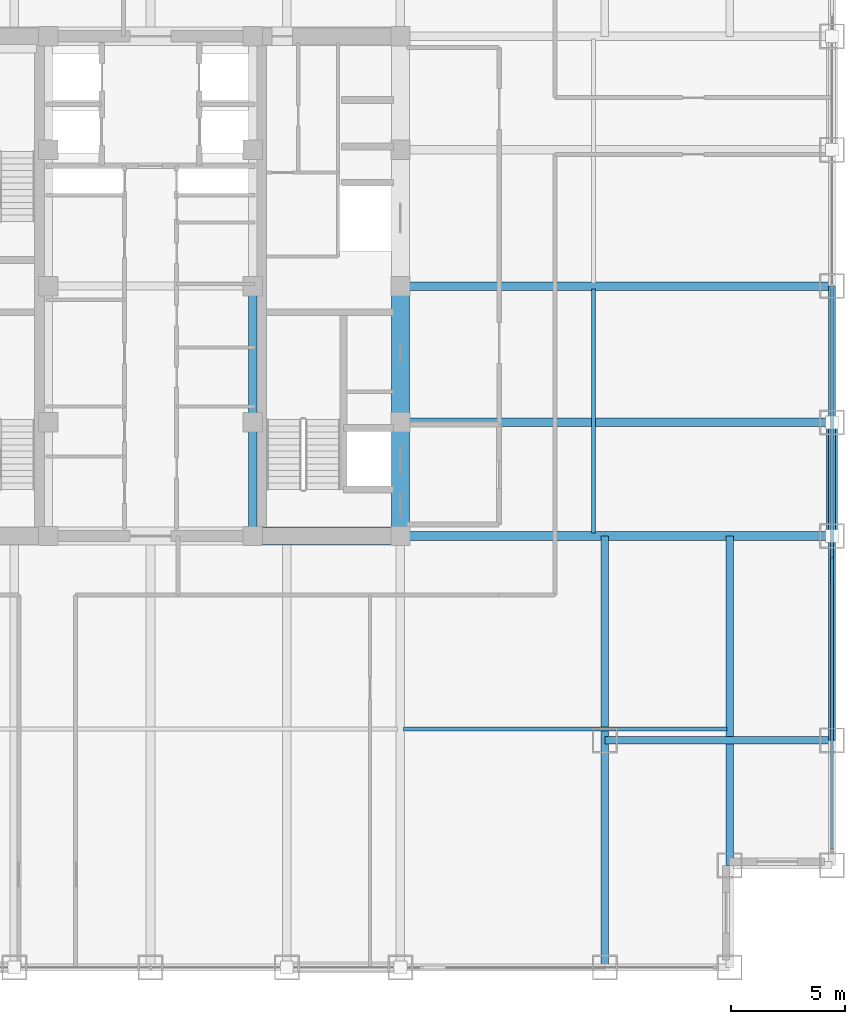
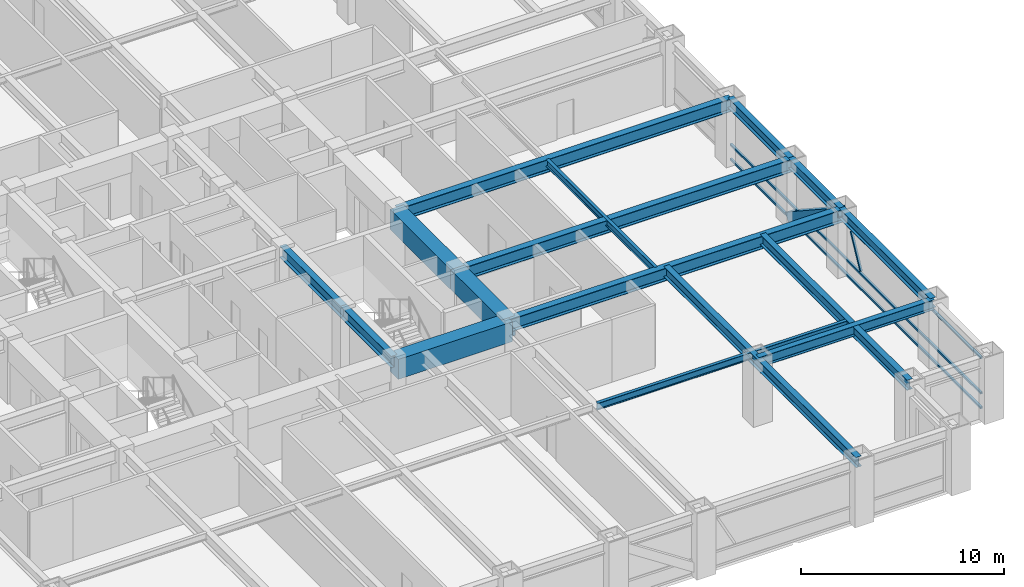
# One storey, part 9 of 24: 16 beams, 5 members, 1 element without a shape of its own.
"""IFC4 building model written with IfcOpenShell, lengths in metres."""

from ifc_helpers import new_model, si_unit, direction, frame, origin, origin_2d, place, context, subcontext, project, spatial, rectangle, hollow_rectangle, i_section, extrude, source, transform, mapped, material, material_profile, profile_set, type_object, element, aggregate, save


model = new_model("IFC4")

# Units and contexts
model_context = context("Model", 3, precision=1e-05, world=origin(), true_north=direction((0.0, 1.0)))
body_context = subcontext(model_context, "Body", "Model", "MODEL_VIEW")
ifc_project = project(units=[si_unit("LENGTHUNIT", "METRE"), si_unit("AREAUNIT", "SQUARE_METRE"), si_unit("VOLUMEUNIT", "CUBIC_METRE"), si_unit("PLANEANGLEUNIT", "RADIAN"), si_unit("MASSUNIT", "GRAM", prefix="KILO")], contexts=[model_context])

# Site, building, storey
site_placement = place(None, origin())
site = spatial("IfcSite", under=ifc_project, at=site_placement, CompositionType="ELEMENT")
building_placement = place(site_placement, origin())
building = spatial("IfcBuilding", under=site, at=building_placement, Name="Khorayat Bourse Tower", CompositionType="ELEMENT")
storey_placement = place(building_placement, frame((0.0, 0.0, 163.10009765625)))
storey = spatial("IfcBuildingStorey", under=building, at=storey_placement, Name="L37", CompositionType="ELEMENT", Elevation=163.10009765625)

# Beams
ifc_material_1 = material(Name="Concrete C72/90", Category="concrete")
ifc_material_profile_1 = material_profile(ifc_material_1, rectangle(XDim=0.800048828125, YDim=1.199951171875, at=origin_2d()), Name="RC 800x1200")
ifc_profile_set_1 = profile_set([ifc_material_profile_1], Name="Concrete C72/90")
beam_type_1 = type_object("IfcBeamType", Name="BM-COUP-1200", PredefinedType="BEAM", material=ifc_profile_set_1)
shared_shape_1 = source(origin(), body_context, "Body", "SweptSolid", [
    extrude(rectangle(XDim=0.800048828125, YDim=1.199951171875, at=origin_2d()), origin(), (0.0, 0.0, 1.0), 5.0),
])
beam_1_placement = place(storey_placement, frame((11.0, -11.0, 3.179931640625), z_axis=(0.0, 1.0, 0.0), x_axis=(-1.0, 0.0, 0.0)))
element("IfcBeam", 1, at=beam_1_placement, inside=storey, type_object=beam_type_1, Name="L37 BM-COUP-1200 BM-L37-CRX-13", PredefinedType="BEAM", context=body_context, shape_type="MappedRepresentation", body=[
    mapped(shared_shape_1, transform((0.0, 0.0, 0.0), scale=1.0)),
])
shared_shape_2 = source(origin(), body_context, "Body", "SweptSolid", [
    extrude(rectangle(XDim=0.800048828125, YDim=1.199951171875, at=origin_2d()), origin(), (0.0, 0.0, 1.0), 6.0),
])
beam_2_placement = place(storey_placement, frame((11.0, -6.0, 3.179931640625), z_axis=(0.0, 1.0, 0.0), x_axis=(-1.0, 0.0, 0.0)))
element("IfcBeam", 2, at=beam_2_placement, inside=storey, type_object=beam_type_1, Name="L37 BM-COUP-1200 BM-L37-CRX-14", PredefinedType="BEAM", context=body_context, shape_type="MappedRepresentation", body=[
    mapped(shared_shape_2, transform((0.0, 0.0, 0.0), scale=1.0)),
])
ifc_material_2 = material(Name="Steel ASTM A992 Grade 50", Category="steel")
ifc_material_profile_2 = material_profile(ifc_material_2, i_section(OverallWidth=0.35498046875, OverallDepth=0.695068359375, WebThickness=0.015380859375, FlangeThickness=0.02490234375, FilletRadius=0.01806640625, at=origin_2d()), Name="W690X217")
ifc_profile_set_2 = profile_set([ifc_material_profile_2], Name="Steel ASTM A992 Grade 50")
beam_type_2 = type_object("IfcBeamType", Name="BM-GIRD-690", PredefinedType="BEAM", material=ifc_profile_set_2)
shared_shape_3 = source(origin(), body_context, "Body", "SweptSolid", [
    extrude(i_section(OverallWidth=0.35498046875, OverallDepth=0.695068359375, WebThickness=0.015380859375, FlangeThickness=0.02490234375, FilletRadius=0.01806640625, at=origin_2d()), origin(), (0.0, 0.0, 1.0), 5.0),
])
beam_3_placement = place(storey_placement, frame((4.5, -11.0, 3.432373046875), z_axis=(0.0, 1.0, 0.0), x_axis=(-1.0, 0.0, 0.0)))
element("IfcBeam", 3, at=beam_3_placement, inside=storey, type_object=beam_type_2, Name="L37 BM-GIRD-690 BM-L37-CRX-09", PredefinedType="BEAM", context=body_context, shape_type="MappedRepresentation", body=[
    mapped(shared_shape_3, transform((0.0, 0.0, 0.0), scale=1.0)),
])
shared_shape_4 = source(origin(), body_context, "Body", "SweptSolid", [
    extrude(i_section(OverallWidth=0.35498046875, OverallDepth=0.695068359375, WebThickness=0.015380859375, FlangeThickness=0.02490234375, FilletRadius=0.01806640625, at=origin_2d()), origin(), (0.0, 0.0, 1.0), 6.0),
])
beam_4_placement = place(storey_placement, frame((4.5, -6.0, 3.432373046875), z_axis=(0.0, 1.0, 0.0), x_axis=(-1.0, 0.0, 0.0)))
element("IfcBeam", 4, at=beam_4_placement, inside=storey, type_object=beam_type_2, Name="L37 BM-GIRD-690 BM-L37-CRX-10", PredefinedType="BEAM", context=body_context, shape_type="MappedRepresentation", body=[
    mapped(shared_shape_4, transform((0.0, 0.0, 0.0), scale=1.0)),
])
shared_shape_5 = source(origin(), body_context, "Body", "SweptSolid", [
    extrude(rectangle(XDim=0.800048828125, YDim=1.199951171875, at=origin_2d()), origin(), (0.0, 0.0, 1.0), 6.5),
])
beam_5_placement = place(storey_placement, frame((4.5, -11.0, 3.179931640625), z_axis=(1.0, 0.0, 0.0), x_axis=(0.0, 1.0, 0.0)))
element("IfcBeam", 5, at=beam_5_placement, inside=storey, type_object=beam_type_1, Name="L37 BM-COUP-1200 BM-L37-CRY-19", PredefinedType="BEAM", context=body_context, shape_type="MappedRepresentation", body=[
    mapped(shared_shape_5, transform((0.0, 0.0, 0.0), scale=1.0)),
])
ifc_material_profile_3 = material_profile(ifc_material_2, i_section(OverallWidth=0.381103515625, OverallDepth=0.77294921875, WebThickness=0.0166015625, FlangeThickness=0.027587890625, FilletRadius=0.01806640625, at=origin_2d()), Name="W760X257")
ifc_profile_set_3 = profile_set([ifc_material_profile_3], Name="Steel ASTM A992 Grade 50")
beam_type_3 = type_object("IfcBeamType", Name="BM-GIRD-760", PredefinedType="BEAM", material=ifc_profile_set_3)
shared_shape_6 = source(origin(), body_context, "Body", "SweptSolid", [
    extrude(i_section(OverallWidth=0.381103515625, OverallDepth=0.77294921875, WebThickness=0.0166015625, FlangeThickness=0.027587890625, FilletRadius=0.01806640625, at=origin_2d()), origin(), (0.0, 0.0, 1.0), 19.0),
])
for number, where, z_axis, x_axis, name in (
    (6, (11.0, -11.0, 3.393310546875), (1.0, 0.0, 0.0), (0.0, 1.0, 0.0), "L37 BM-GIRD-760 BM-L37-RADX-074"),
    (7, (11.0, -6.0, 3.393310546875), (1.0, 0.0, 0.0), (0.0, 1.0, 0.0), "L37 BM-GIRD-760 BM-L37-RADX-076"),
    (8, (11.0, 0.0, 3.393310546875), (1.0, 0.0, 0.0), (0.0, 1.0, 0.0), "L37 BM-GIRD-760 BM-L37-RADX-078"),
):
    element("IfcBeam", number, at=place(storey_placement, frame(where, z_axis=z_axis, x_axis=x_axis)), inside=storey, type_object=beam_type_3, Name=name, PredefinedType="BEAM", context=body_context, shape_type="MappedRepresentation", body=[
        mapped(shared_shape_6, transform((0.0, 0.0, 0.0), scale=1.0)),
    ])
ifc_material_profile_4 = material_profile(ifc_material_2, i_section(OverallWidth=0.324951171875, OverallDepth=0.615966796875, WebThickness=0.013916015625, FlangeThickness=0.021484375, FilletRadius=0.01611328125, at=origin_2d()), Name="W610X174")
ifc_profile_set_4 = profile_set([ifc_material_profile_4], Name="Steel ASTM A992 Grade 50")
beam_type_4 = type_object("IfcBeamType", Name="BM-GIRD-610", PredefinedType="BEAM", material=ifc_profile_set_4)
shared_shape_7 = source(origin(), body_context, "Body", "SweptSolid", [
    extrude(i_section(OverallWidth=0.324951171875, OverallDepth=0.615966796875, WebThickness=0.013916015625, FlangeThickness=0.021484375, FilletRadius=0.01611328125, at=origin_2d()), origin(), (0.0, 0.0, 1.0), 19.0),
])
beam_6_placement = place(storey_placement, frame((20.0, -30.0, 3.471923828125), z_axis=(0.0, 1.0, 0.0), x_axis=(-1.0, 0.0, 0.0)))
element("IfcBeam", 9, at=beam_6_placement, inside=storey, type_object=beam_type_4, Name="L37 BM-GIRD-610 BM-L37-CNRY-086", PredefinedType="BEAM", context=body_context, shape_type="MappedRepresentation", body=[
    mapped(shared_shape_7, transform((0.0, 0.0, 0.0), scale=1.0)),
])
shared_shape_8 = source(origin(), body_context, "Body", "SweptSolid", [
    extrude(i_section(OverallWidth=0.324951171875, OverallDepth=0.615966796875, WebThickness=0.013916015625, FlangeThickness=0.021484375, FilletRadius=0.01611328125, at=origin_2d()), origin(), (0.0, 0.0, 1.0), 14.5),
])
beam_7_placement = place(storey_placement, frame((25.5, -25.5, 3.471923828125), z_axis=(0.0, 1.0, 0.0), x_axis=(-1.0, 0.0, 0.0)))
element("IfcBeam", 10, at=beam_7_placement, inside=storey, type_object=beam_type_4, Name="L37 BM-GIRD-610 BM-L37-CNRY-090", PredefinedType="BEAM", context=body_context, shape_type="MappedRepresentation", body=[
    mapped(shared_shape_8, transform((0.0, 0.0, 0.0), scale=1.0)),
])
shared_shape_9 = source(origin(), body_context, "Body", "SweptSolid", [
    extrude(i_section(OverallWidth=0.324951171875, OverallDepth=0.615966796875, WebThickness=0.013916015625, FlangeThickness=0.021484375, FilletRadius=0.01611328125, at=origin_2d()), origin(), (0.0, 0.0, 1.0), 10.0),
])
beam_8_placement = place(storey_placement, frame((20.0, -20.0, 3.471923828125), z_axis=(1.0, 0.0, 0.0), x_axis=(0.0, 1.0, 0.0)))
element("IfcBeam", 11, at=beam_8_placement, inside=storey, type_object=beam_type_4, Name="L37 BM-GIRD-610 BM-L37-CNRX-092", PredefinedType="BEAM", context=body_context, shape_type="MappedRepresentation", body=[
    mapped(shared_shape_9, transform((0.0, 0.0, 0.0), scale=1.0)),
])
ifc_material_profile_5 = material_profile(ifc_material_2, i_section(OverallWidth=0.180908203125, OverallDepth=0.4169921875, WebThickness=0.010986328125, FlangeThickness=0.018310546875, FilletRadius=0.011962890625, at=origin_2d()), Name="W410X85")
ifc_profile_set_5 = profile_set([ifc_material_profile_5], Name="Steel ASTM A992 Grade 50")
beam_type_5 = type_object("IfcBeamType", Name="BM-JOIST-410", PredefinedType="JOIST", material=ifc_profile_set_5)
shared_shape_10 = source(origin(), body_context, "Body", "SweptSolid", [
    extrude(i_section(OverallWidth=0.180908203125, OverallDepth=0.4169921875, WebThickness=0.010986328125, FlangeThickness=0.018310546875, FilletRadius=0.011962890625, at=origin_2d()), origin(), (0.0, 0.0, 1.0), 14.240234375),
])
beam_9_placement = place(storey_placement, frame((11.1298828125, -19.5, 3.5712890625), z_axis=(1.0, 0.0, 0.0), x_axis=(0.0, 1.0, 0.0)))
element("IfcBeam", 12, at=beam_9_placement, inside=storey, type_object=beam_type_5, Name="L37 BM-JOIST-410 BM-L37-JSTX-098", PredefinedType="JOIST", context=body_context, shape_type="MappedRepresentation", body=[
    mapped(shared_shape_10, transform((0.0, 0.0, 0.0), scale=1.0)),
])
shared_shape_11 = source(origin(), body_context, "Body", "SweptSolid", [
    extrude(i_section(OverallWidth=0.180908203125, OverallDepth=0.4169921875, WebThickness=0.010986328125, FlangeThickness=0.018310546875, FilletRadius=0.011962890625, at=origin_2d()), origin(), (0.0, 0.0, 1.0), 10.740234375),
])
beam_10_placement = place(storey_placement, frame((19.5, -10.8701171875, 3.5712890625), z_axis=(0.0, 1.0, 0.0), x_axis=(-1.0, 0.0, 0.0)))
element("IfcBeam", 13, at=beam_10_placement, inside=storey, type_object=beam_type_5, Name="L37 BM-JOIST-410 BM-L37-JSTY-104", PredefinedType="JOIST", context=body_context, shape_type="MappedRepresentation", body=[
    mapped(shared_shape_11, transform((0.0, 0.0, 0.0), scale=1.0)),
])
ifc_material_profile_6 = material_profile(ifc_material_2, i_section(OverallWidth=0.324951171875, OverallDepth=0.615966796875, WebThickness=0.013916015625, FlangeThickness=0.021484375, FilletRadius=0.01611328125, at=origin_2d()), Name="W610X174")
ifc_profile_set_6 = profile_set([ifc_material_profile_6], Name="Steel ASTM A992 Grade 50")
beam_type_6 = type_object("IfcBeamType", Name="BM-SPAN-610", PredefinedType="SPANDREL", material=ifc_profile_set_6)
shared_shape_12 = source(origin(), body_context, "Body", "SweptSolid", [
    extrude(i_section(OverallWidth=0.324951171875, OverallDepth=0.615966796875, WebThickness=0.013916015625, FlangeThickness=0.021484375, FilletRadius=0.01611328125, at=origin_2d()), origin(), (0.0, 0.0, 1.0), 9.0),
])
beam_11_placement = place(storey_placement, frame((30.0, -20.0, 3.471923828125), z_axis=(0.0, 1.0, 0.0), x_axis=(-1.0, 0.0, 0.0)))
element("IfcBeam", 14, at=beam_11_placement, inside=storey, type_object=beam_type_6, Name="L37 BM-SPAN-610 BM-L37-SPN-035", PredefinedType="SPANDREL", context=body_context, shape_type="MappedRepresentation", body=[
    mapped(shared_shape_12, transform((0.0, 0.0, 0.0), scale=1.0)),
])
shared_shape_13 = source(origin(), body_context, "Body", "SweptSolid", [
    extrude(i_section(OverallWidth=0.324951171875, OverallDepth=0.615966796875, WebThickness=0.013916015625, FlangeThickness=0.021484375, FilletRadius=0.01611328125, at=origin_2d()), origin(), (0.0, 0.0, 1.0), 5.0),
])
beam_12_placement = place(storey_placement, frame((30.0, -11.0, 3.471923828125), z_axis=(0.0, 1.0, 0.0), x_axis=(-1.0, 0.0, 0.0)))
element("IfcBeam", 15, at=beam_12_placement, inside=storey, type_object=beam_type_6, Name="L37 BM-SPAN-610 BM-L37-SPN-036", PredefinedType="SPANDREL", context=body_context, shape_type="MappedRepresentation", body=[
    mapped(shared_shape_13, transform((0.0, 0.0, 0.0), scale=1.0)),
])
shared_shape_14 = source(origin(), body_context, "Body", "SweptSolid", [
    extrude(i_section(OverallWidth=0.324951171875, OverallDepth=0.615966796875, WebThickness=0.013916015625, FlangeThickness=0.021484375, FilletRadius=0.01611328125, at=origin_2d()), origin(), (0.0, 0.0, 1.0), 6.0),
])
beam_13_placement = place(storey_placement, frame((30.0, -6.0, 3.471923828125), z_axis=(0.0, 1.0, 0.0), x_axis=(-1.0, 0.0, 0.0)))
element("IfcBeam", 16, at=beam_13_placement, inside=storey, type_object=beam_type_6, Name="L37 BM-SPAN-610 BM-L37-SPN-037", PredefinedType="SPANDREL", context=body_context, shape_type="MappedRepresentation", body=[
    mapped(shared_shape_14, transform((0.0, 0.0, 0.0), scale=1.0)),
])

# Member
ifc_material_3 = material(Name="Steel EN 10025-4 S460M", Category="steel")
ifc_material_profile_7 = material_profile(ifc_material_3, hollow_rectangle(XDim=0.5, YDim=0.5, WallThickness=0.028076171875, at=origin_2d()), Name="HSS 500x500x28")
ifc_profile_set_7 = profile_set([ifc_material_profile_7], Name="Steel EN 10025-4 S460M")
member_type_1 = type_object("IfcMemberType", Name="MBR-TUBE-500", PredefinedType="BRACE", material=ifc_profile_set_7)
shared_shape_15 = source(origin(), body_context, "Body", "SweptSolid", [
    extrude(hollow_rectangle(XDim=0.5, YDim=0.5, WallThickness=0.028076171875, at=origin_2d()), origin(), (0.0, 0.0, 1.0), 5.979736328125),
])
member_1_placement = place(storey_placement, frame((30.0, -11.0, 3.52978515625), z_axis=(0.0, 0.836160261256, -0.548485202623), x_axis=(-1.0, 0.0, 0.0)))
element("IfcMember", 17, at=member_1_placement, inside=storey, type_object=member_type_1, Name="L37 Perimeter Tube Brace 07", PredefinedType="BRACE", context=body_context, shape_type="MappedRepresentation", body=[
    mapped(shared_shape_15, transform((0.0, 0.0, 0.0), scale=1.0)),
])

# Curtain wall, members
ifc_material_4 = material(Name="Aluminium EN AW-6063 T6", Category="aluminium")
curtain_wall_type = type_object("IfcCurtainWallType", Name="CW-SYS-03", PredefinedType="NOTDEFINED", material=ifc_material_4)
curtain_wall_placement = place(storey_placement, origin())
curtain_wall = element("IfcCurtainWall", 18, at=curtain_wall_placement, inside=storey, type_object=curtain_wall_type, Name="L37 Curtain Wall CW-L37-E1", PredefinedType="NOTDEFINED")
ifc_material_profile_8 = material_profile(ifc_material_4, hollow_rectangle(XDim=0.1201171875, YDim=0.1201171875, WallThickness=0.0048828125, at=origin_2d()), Name="ALU 120x120x5")
ifc_profile_set_8 = profile_set([ifc_material_profile_8], Name="Aluminium EN AW-6063 T6")
member_type_2 = type_object("IfcMemberType", Name="CWM-DIAG-120", PredefinedType="MULLION", material=ifc_profile_set_8)
shared_shape_16 = source(origin(), body_context, "Body", "SweptSolid", [
    extrude(hollow_rectangle(XDim=0.1201171875, YDim=0.1201171875, WallThickness=0.0048828125, at=origin_2d()), origin(), (0.0, 0.0, 1.0), 2.079345703125),
])
member_2_placement = place(storey_placement, frame((30.0, -12.904296875, 1.08984375), z_axis=(0.0, 0.465760949701, 0.884910581773), x_axis=(-1.0, 0.0, 0.0)))
member_2 = element("IfcMember", 19, at=member_2_placement, type_object=member_type_2, Name="CW-L37-E1 Faceted Diagonal Mullion 1", PredefinedType="MULLION", context=body_context, shape_type="MappedRepresentation", body=[
    mapped(shared_shape_16, transform((0.0, 0.0, 0.0), scale=1.0)),
])
ifc_material_profile_9 = material_profile(ifc_material_4, hollow_rectangle(XDim=0.1201171875, YDim=0.1201171875, WallThickness=0.0048828125, at=origin_2d()), Name="ALU 120x120x5")
ifc_profile_set_9 = profile_set([ifc_material_profile_9], Name="Aluminium EN AW-6063 T6")
member_type_3 = type_object("IfcMemberType", Name="CWT-HORZ-120", PredefinedType="USERDEFINED", material=ifc_profile_set_9)
shared_shape_17 = source(origin(), body_context, "Body", "SweptSolid", [
    extrude(hollow_rectangle(XDim=0.1201171875, YDim=0.1201171875, WallThickness=0.0048828125, at=origin_2d()), origin(), (0.0, 0.0, 1.0), 24.719970703125),
])
member_3_placement = place(storey_placement, frame((30.0, -24.780029296875, 0.059814453125), z_axis=(0.0, 1.0, 0.0), x_axis=(-1.0, 0.0, 0.0)))
member_3 = element("IfcMember", 20, at=member_3_placement, type_object=member_type_3, Name="CW-L37-E1 Horizontal Transom 1-1", ObjectType="TRANSOM", PredefinedType="USERDEFINED", context=body_context, shape_type="MappedRepresentation", body=[
    mapped(shared_shape_17, transform((0.0, 0.0, 0.0), scale=1.0)),
])
member_4_placement = place(storey_placement, frame((30.0, -24.780029296875, 0.949951171875), z_axis=(0.0, 1.0, 0.0), x_axis=(-1.0, 0.0, 0.0)))
member_4 = element("IfcMember", 21, at=member_4_placement, type_object=member_type_3, Name="CW-L37-E1 Horizontal Transom 1-2", ObjectType="TRANSOM", PredefinedType="USERDEFINED", context=body_context, shape_type="MappedRepresentation", body=[
    mapped(shared_shape_17, transform((0.0, 0.0, 0.0), scale=1.0)),
])
member_5_placement = place(storey_placement, frame((30.0, -24.780029296875, 3.06982421875), z_axis=(0.0, 1.0, 0.0), x_axis=(-1.0, 0.0, 0.0)))
member_5 = element("IfcMember", 22, at=member_5_placement, type_object=member_type_3, Name="CW-L37-E1 Horizontal Transom 1-3", ObjectType="TRANSOM", PredefinedType="USERDEFINED", context=body_context, shape_type="MappedRepresentation", body=[
    mapped(shared_shape_17, transform((0.0, 0.0, 0.0), scale=1.0)),
])
aggregate(curtain_wall, [member_3, member_4, member_5, member_2])

save(model, "model.ifc")
